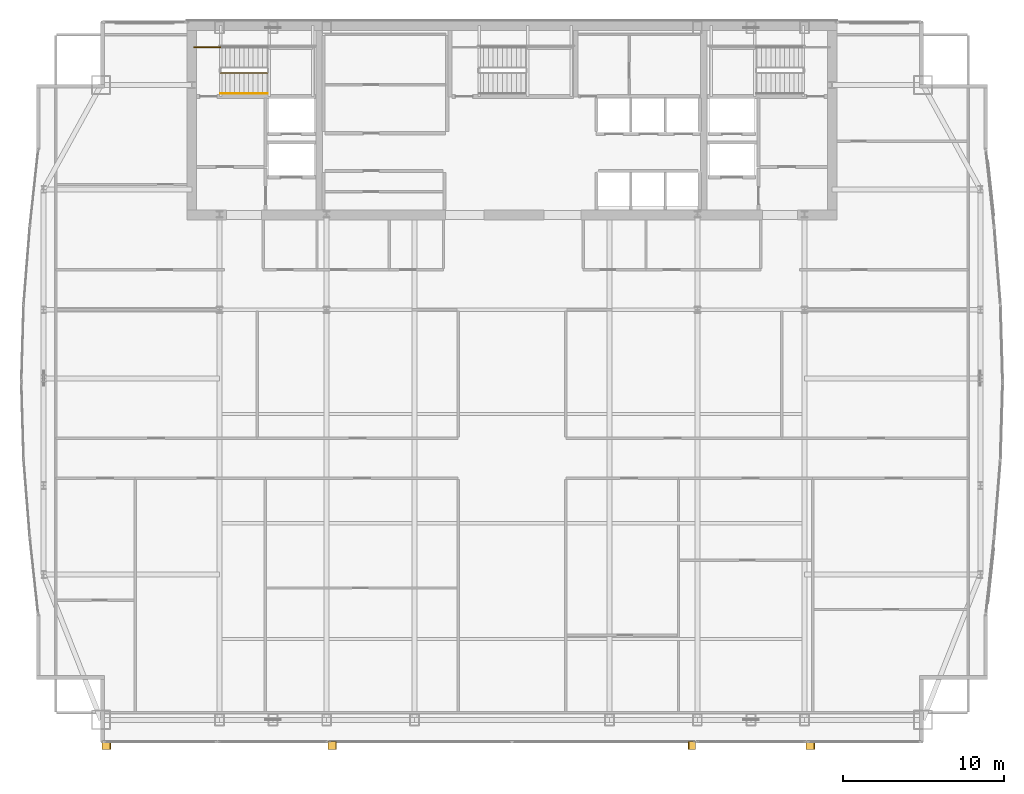
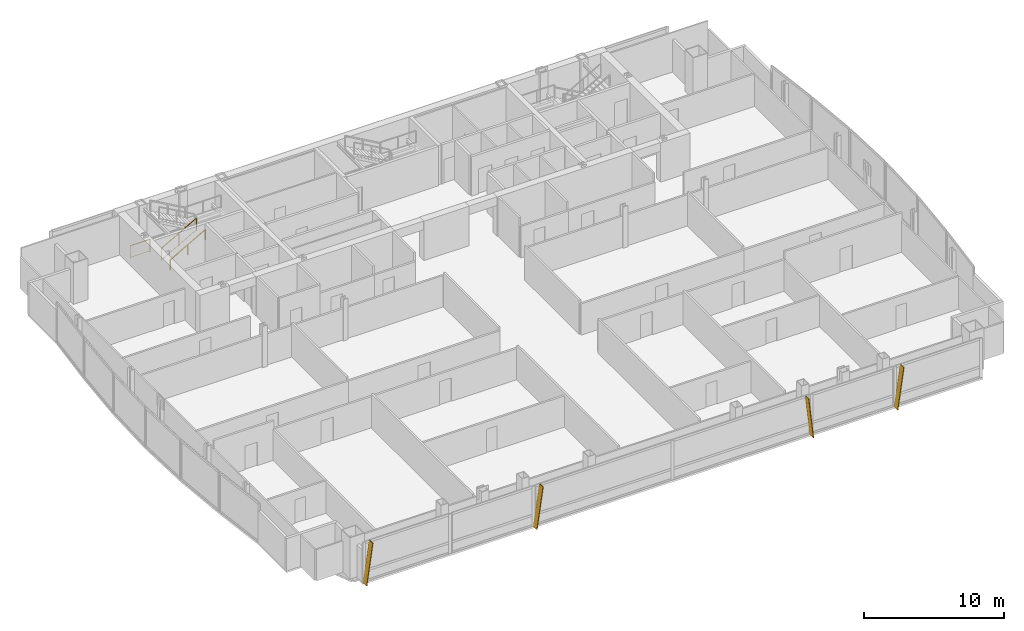
# One storey, part 31 of 32: 4 shading devices, 3 railings.
"""IFC4 building model written with IfcOpenShell, lengths in metres."""

from ifc_helpers import new_model, si_unit, direction, frame, origin, origin_2d, place, context, subcontext, project, spatial, polyline, rectangle, outline, extrude, material, layer, layer_set, type_object, element, save


model = new_model("IFC4")

# Units and contexts
model_context = context("Model", 3, precision=1e-05, world=origin(), true_north=direction((0.0, 1.0)))
body_context = subcontext(model_context, "Body", "Model", "MODEL_VIEW")
ifc_project = project(units=[si_unit("LENGTHUNIT", "METRE"), si_unit("AREAUNIT", "SQUARE_METRE"), si_unit("VOLUMEUNIT", "CUBIC_METRE"), si_unit("PLANEANGLEUNIT", "RADIAN"), si_unit("MASSUNIT", "GRAM", prefix="KILO")], contexts=[model_context])

# Site, building, storey
site_placement = place(None, origin())
site = spatial("IfcSite", under=ifc_project, at=site_placement, CompositionType="ELEMENT")
building_placement = place(site_placement, origin())
building = spatial("IfcBuilding", under=site, at=building_placement, Name="Khoronbel Lancet Exchange", CompositionType="ELEMENT")
storey_placement = place(building_placement, frame((0.0, 0.0, 195.800048828125)))
storey = spatial("IfcBuildingStorey", under=building, at=storey_placement, Name="L49", CompositionType="ELEMENT", Elevation=195.800048828125)

# Railings
ifc_material_1 = material(Name="Painted Steel Balustrade", Category="steel")
railing_type_1 = type_object("IfcRailingType", Name="RL-STG110", PredefinedType="GUARDRAIL", material=ifc_material_1)
railing_1_placement = place(storey_placement, frame((18.300048828125, 50.449951171875, 0.16357421875)))
element("IfcRailing", 1, at=railing_1_placement, inside=storey, type_object=railing_type_1, Name="L49 ST1 stair guard 1", PredefinedType="GUARDRAIL", context=body_context, shape_type="SweptSolid", body=[
    extrude(rectangle(XDim=0.048095703125, YDim=0.048095703125, at=origin_2d()), frame((0.0, 0.0, 1.09619140625), z_axis=(0.870897200241, 0.0, 0.491465224214), x_axis=(0.0, 1.0, 0.0)), (0.0, 0.0, 1.0), 3.329833984375),
    extrude(rectangle(XDim=0.02392578125, YDim=0.02392578125, at=origin_2d()), frame((0.0, 0.0, 0.080078125), z_axis=(0.870897200241, 0.0, 0.491465224214), x_axis=(0.0, 1.0, 0.0)), (0.0, 0.0, 1.0), 3.329833984375),
    extrude(rectangle(XDim=0.0419921875, YDim=0.0419921875, at=origin_2d()), origin(), (0.0, 0.0, 1.0), 1.072021484375),
    extrude(rectangle(XDim=0.0419921875, YDim=0.0419921875, at=origin_2d()), frame((1.449951171875, 0.0, 0.818359375)), (0.0, 0.0, 1.0), 1.072021484375),
    extrude(rectangle(XDim=0.0419921875, YDim=0.0419921875, at=origin_2d()), frame((2.89990234375, 0.0, 1.636474609375)), (0.0, 0.0, 1.0), 1.072021484375),
])
railing_2_placement = place(storey_placement, frame((16.64990234375, 52.050048828125, 0.0)))
element("IfcRailing", 2, at=railing_2_placement, inside=storey, type_object=railing_type_1, Name="L49 ST1 stair guard 6", PredefinedType="GUARDRAIL", context=body_context, shape_type="SweptSolid", body=[
    extrude(rectangle(XDim=0.048095703125, YDim=0.048095703125, at=origin_2d()), frame((0.0, 0.0, 1.09619140625), z_axis=(1.0, 0.0, 0.0), x_axis=(0.0, 1.0, 0.0)), (0.0, 0.0, 1.0), 1.650146484375),
    extrude(rectangle(XDim=0.02392578125, YDim=0.02392578125, at=origin_2d()), frame((0.0, 0.0, 0.080078125), z_axis=(1.0, 0.0, 0.0), x_axis=(0.0, 1.0, 0.0)), (0.0, 0.0, 1.0), 1.650146484375),
    extrude(rectangle(XDim=0.0419921875, YDim=0.0419921875, at=origin_2d()), origin(), (0.0, 0.0, 1.0), 1.072021484375),
    extrude(rectangle(XDim=0.0419921875, YDim=0.0419921875, at=origin_2d()), frame((1.650146484375, 0.0, 0.0)), (0.0, 0.0, 1.0), 1.072021484375),
])
ifc_material_2 = material(Name="Brushed Stainless Steel 316", Category="steel")
railing_type_2 = type_object("IfcRailingType", Name="RL-STH92", PredefinedType="HANDRAIL", material=ifc_material_2)
railing_3_placement = place(storey_placement, frame((18.300048828125, 49.169921875, 0.16357421875)))
element("IfcRailing", 3, at=railing_3_placement, inside=storey, type_object=railing_type_2, Name="L49 ST1 stair handrail 1", PredefinedType="HANDRAIL", context=body_context, shape_type="SweptSolid", body=[
    extrude(rectangle(XDim=0.048095703125, YDim=0.048095703125, at=origin_2d()), frame((0.0, 0.0, 0.8759765625), z_axis=(0.870897200241, 0.0, 0.491465224214), x_axis=(0.0, 1.0, 0.0)), (0.0, 0.0, 1.0), 3.329833984375),
    extrude(rectangle(XDim=0.0419921875, YDim=0.0419921875, at=origin_2d()), origin(), (0.0, 0.0, 1.0), 0.851806640625),
    extrude(rectangle(XDim=0.0419921875, YDim=0.0419921875, at=origin_2d()), frame((1.449951171875, 0.0, 0.818359375)), (0.0, 0.0, 1.0), 0.851806640625),
    extrude(rectangle(XDim=0.0419921875, YDim=0.0419921875, at=origin_2d()), frame((2.89990234375, 0.0, 1.636474609375)), (0.0, 0.0, 1.0), 0.851806640625),
])

# Shading devices
ifc_material_3 = material(Name="Bronze-Anodised Aluminium 6063-T6", Category="aluminium")
ifc_layer = layer(ifc_material_3, 0.054931640625, Name="Bronze-Anodised Aluminium 6063-T6")
ifc_layer_set = layer_set([ifc_layer], Name="Bronze-Anodised Aluminium 6063-T6")
shading_device_type = type_object("IfcShadingDeviceType", Name="SHD-FIN1", PredefinedType="USERDEFINED", material=ifc_layer_set)
for number, where, z_axis, x_axis, name in (
    (4, (10.91259765625, 8.81005859375, -0.080078125), (-0.990092925251, 0.0, 0.140413672296), (0.0, -1.0, 0.0), "Slanted bronze solar fin CW-L49-SWV-0"),
    (5, (24.972412109375, 8.81005859375, -0.080078125), (-0.990083483708, 0.0, 0.140480230955), (0.0, -1.0, 0.0), "Slanted bronze solar fin CW-L49-SCV-0"),
):
    element("IfcShadingDevice", number, at=place(storey_placement, frame(where, z_axis=z_axis, x_axis=x_axis)), inside=storey, type_object=shading_device_type, Name=name, ObjectType="FIN", PredefinedType="USERDEFINED", context=body_context, shape_type="SweptSolid", body=[
        extrude(outline(polyline([(0.0, 0.0), (0.52001953125, 0.0), (0.52001953125, 3.595703125), (0.0, 3.595703125), (0.0, 0.0)])), origin(), (0.0, 0.0, -1.0), 0.054931640625),
    ])
shading_device_1_placement = place(storey_placement, frame((47.87255859375, 8.81005859375, -0.080078125), z_axis=(0.993900347655, 0.0, 0.110281906632), x_axis=(0.0, -1.0, 0.0)))
element("IfcShadingDevice", 6, at=shading_device_1_placement, inside=storey, type_object=shading_device_type, Name="Slanted bronze solar fin CW-L49-SCV-2", ObjectType="FIN", PredefinedType="USERDEFINED", context=body_context, shape_type="SweptSolid", body=[
    extrude(outline(polyline([(0.0, 0.0), (0.52001953125, 0.0), (0.52001953125, -3.581787109375), (0.0, -3.581787109375), (0.0, 0.0)])), origin(), (0.0, 0.0, -1.0), 0.054931640625),
])
shading_device_2_placement = place(storey_placement, frame((54.7724609375, 8.81005859375, -0.080078125), z_axis=(-0.990083483708, 0.0, 0.140480230955), x_axis=(0.0, -1.0, 0.0)))
element("IfcShadingDevice", 7, at=shading_device_2_placement, inside=storey, type_object=shading_device_type, Name="Slanted bronze solar fin CW-L49-SEV-0", ObjectType="FIN", PredefinedType="USERDEFINED", context=body_context, shape_type="SweptSolid", body=[
    extrude(outline(polyline([(0.0, 0.0), (0.52001953125, 0.0), (0.52001953125, 3.595703125), (0.0, 3.595703125), (0.0, 0.0)])), origin(), (0.0, 0.0, -1.0), 0.054931640625),
])

save(model, "model.ifc")
